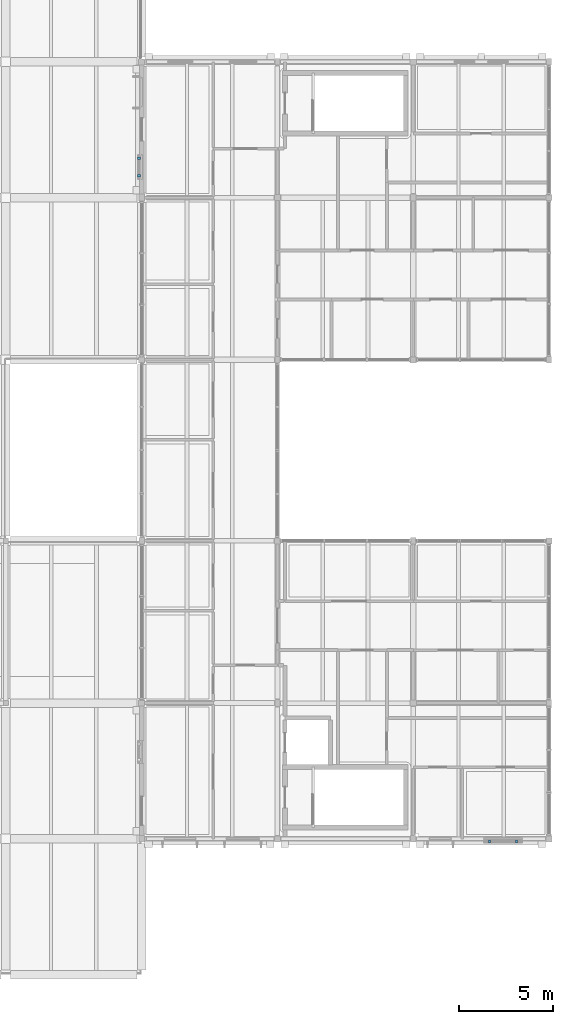
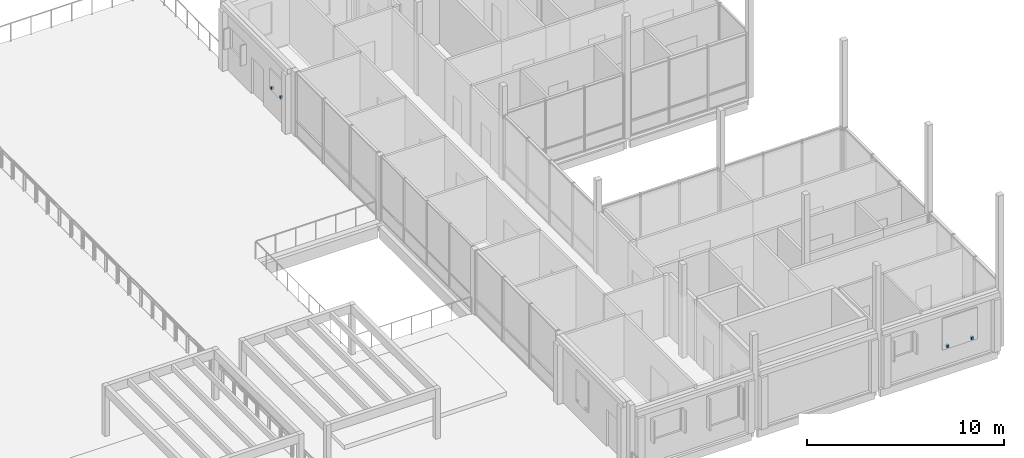
# One storey, part 101 of 115: 4 discrete accessories.
"""IFC4 building model written with IfcOpenShell, lengths in metres."""

from ifc_helpers import new_model, si_unit, direction, frame, origin, origin_2d, place, context, subcontext, project, spatial, rectangle, extrude, material, type_object, element, save


model = new_model("IFC4")

# Units and contexts
model_context = context("Model", 3, precision=1e-05, world=origin(), true_north=direction((0.0, 1.0)))
body_context = subcontext(model_context, "Body", "Model", "MODEL_VIEW")
ifc_project = project(units=[si_unit("LENGTHUNIT", "METRE"), si_unit("AREAUNIT", "SQUARE_METRE"), si_unit("VOLUMEUNIT", "CUBIC_METRE"), si_unit("PLANEANGLEUNIT", "RADIAN"), si_unit("MASSUNIT", "GRAM", prefix="KILO")], contexts=[model_context])

# Site, building, storey
site_placement = place(None, origin())
site = spatial("IfcSite", under=ifc_project, at=site_placement, CompositionType="ELEMENT")
building_placement = place(site_placement, origin())
building = spatial("IfcBuilding", under=site, at=building_placement, Name="Hawrajan Terrace Health Centre", CompositionType="ELEMENT")
storey_placement = place(building_placement, frame((0.0, 0.0, 9.0)))
storey = spatial("IfcBuildingStorey", under=building, at=storey_placement, Name="L02", CompositionType="ELEMENT", Elevation=9.0)

# Discrete accessories
ifc_material = material(Name="Steel S355", Category="steel")
discrete_accessory_type = type_object("IfcDiscreteAccessoryType", Name="FacadeBracket_S355", PredefinedType="BRACKET", material=ifc_material)
for number, where, z_axis, x_axis, name in (
    (1, (143.655029296875, 46.56298828125, 1.56982421875), (0.0, 0.0, 1.0), (0.0, 1.0, 0.0), "Roshan support bracket BRK-L02-196-1"),
    (2, (143.655029296875, 47.487060546875, 1.56982421875), (0.0, 0.0, 1.0), (0.0, 1.0, 0.0), "Roshan support bracket BRK-L02-196-2"),
    (3, (162.242431640625, 11.2548828125, 1.06982421875), (0.0, 0.0, 1.0), (1.0, 0.0, 0.0), "Roshan support bracket BRK-L02-201-1"),
    (4, (163.677490234375, 11.2548828125, 1.06982421875), (0.0, 0.0, 1.0), (1.0, 0.0, 0.0), "Roshan support bracket BRK-L02-201-2"),
):
    element("IfcDiscreteAccessory", number, at=place(storey_placement, frame(where, z_axis=z_axis, x_axis=x_axis)), inside=storey, type_object=discrete_accessory_type, Name=name, PredefinedType="BRACKET", context=body_context, shape_type="SweptSolid", body=[
        extrude(rectangle(XDim=0.1201171875, YDim=0.139892578125, at=origin_2d()), origin(), (0.0, 0.0, 1.0), 0.159912109375),
    ])

save(model, "model.ifc")
